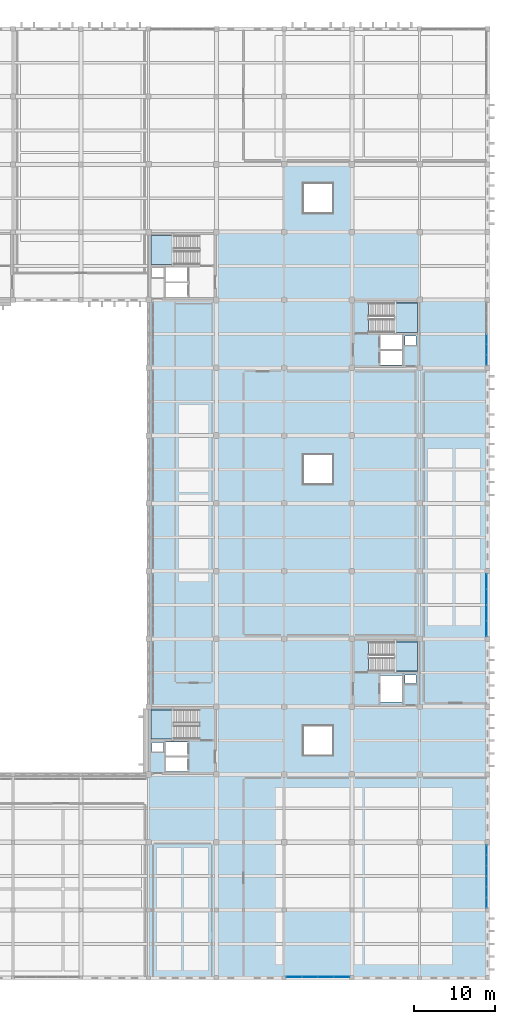
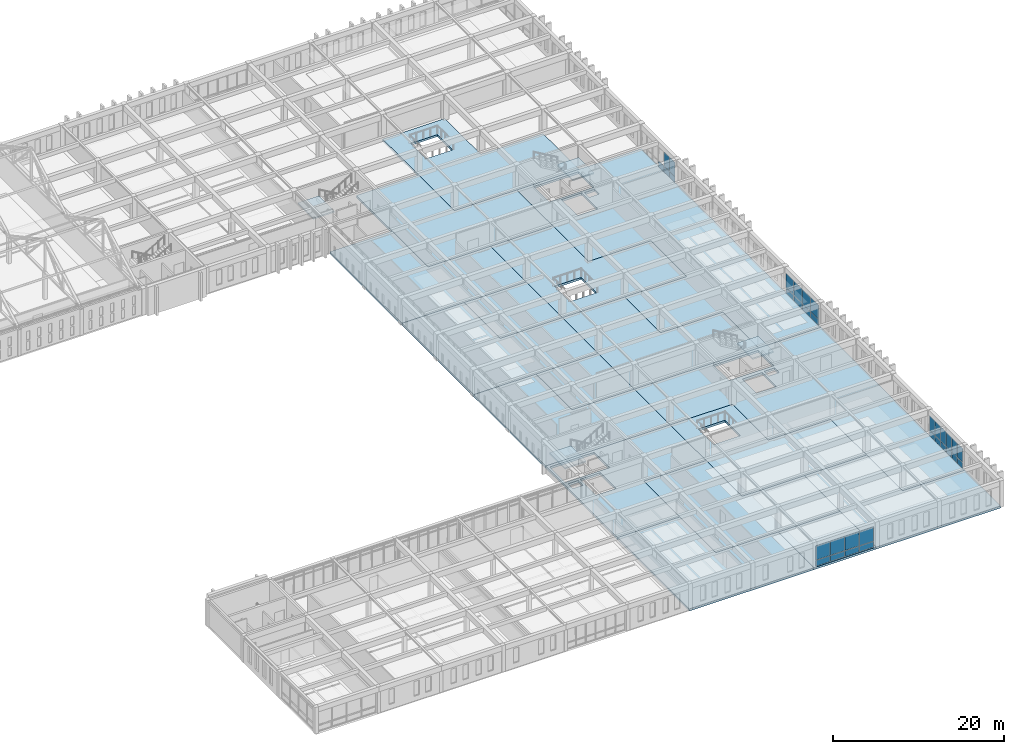
# One storey, part 62 of 110: 33 plates, 21 slabs, 8 elements without a shape of their own.
"""IFC4 building model written with IfcOpenShell, lengths in metres."""

from ifc_helpers import new_model, si_unit, direction, frame, origin, origin_2d, place, context, subcontext, project, spatial, polyline, rectangle, outline, extrude, material, layer, layer_set, type_object, element, aggregate, save


model = new_model("IFC4")

# Units and contexts
model_context = context("Model", 3, precision=1e-05, world=origin(), true_north=direction((0.0, 1.0)))
body_context = subcontext(model_context, "Body", "Model", "MODEL_VIEW")
ifc_project = project(units=[si_unit("LENGTHUNIT", "METRE"), si_unit("AREAUNIT", "SQUARE_METRE"), si_unit("VOLUMEUNIT", "CUBIC_METRE"), si_unit("PLANEANGLEUNIT", "RADIAN"), si_unit("MASSUNIT", "GRAM", prefix="KILO")], contexts=[model_context])

# Site, building, storey
site_placement = place(None, origin())
site = spatial("IfcSite", under=ifc_project, at=site_placement, CompositionType="ELEMENT")
building_placement = place(site_placement, origin())
building = spatial("IfcBuilding", under=site, at=building_placement, Name="Kveldsbrygga Polytechnic", CompositionType="ELEMENT")
storey_placement = place(building_placement, frame((0.0, 0.0, 9.860107421875)))
storey = spatial("IfcBuildingStorey", under=building, at=storey_placement, Name="L02", CompositionType="ELEMENT", Elevation=9.860107421875)

# Curtain wall, plates
ifc_material_1 = material(Name="Anodised aluminium AW-6060", Category="aluminium")
ifc_layer_1 = layer(ifc_material_1, 0.179931640625)
ifc_layer_set_1 = layer_set([ifc_layer_1], Name="Anodised aluminium AW-6060")
curtain_wall_type_1 = type_object("IfcCurtainWallType", Name="CW-CONC-A", PredefinedType="USERDEFINED", material=ifc_layer_set_1)
curtain_wall_1_placement = place(storey_placement, origin())
curtain_wall_1 = element("IfcCurtainWall", 1, at=curtain_wall_1_placement, inside=storey, type_object=curtain_wall_type_1, Name="Curtain Wall CW-L02-Y-20-01", ObjectType="UNITISED CURTAIN WALL", PredefinedType="USERDEFINED")
ifc_material_2 = material(Name="Insulated triple low-E glass", Category="glass")
ifc_layer_2 = layer(ifc_material_2, 0.035888671875)
ifc_layer_set_2 = layer_set([ifc_layer_2], Name="Insulated triple low-E glass")
plate_type_1 = type_object("IfcPlateType", Name="CW-PAN-VIS36", PredefinedType="CURTAIN_PANEL", material=ifc_layer_set_2)
plate_1_placement = place(storey_placement, frame((167.89990234375, 9.313720703125, 0.059814453125), z_axis=(0.0, 0.0, 1.0), x_axis=(0.0, 1.0, 0.0)))
plate_1 = element("IfcPlate", 2, at=plate_1_placement, type_object=plate_type_1, Name="CW-01 panel 1.1", PredefinedType="CURTAIN_PANEL", context=body_context, shape_type="SweptSolid", body=[
    extrude(rectangle(XDim=1.217529296875, YDim=0.035888671875, at=origin_2d()), origin(), (0.0, 0.0, 1.0), 0.81005859375),
])
plate_2_placement = place(storey_placement, frame((167.89990234375, 9.313720703125, 0.9296875), z_axis=(0.0, 0.0, 1.0), x_axis=(0.0, 1.0, 0.0)))
plate_2 = element("IfcPlate", 3, at=plate_2_placement, type_object=plate_type_1, Name="CW-01 panel 1.2", PredefinedType="CURTAIN_PANEL", context=body_context, shape_type="SweptSolid", body=[
    extrude(rectangle(XDim=1.217529296875, YDim=0.035888671875, at=origin_2d()), origin(), (0.0, 0.0, 1.0), 2.010009765625),
])
plate_3_placement = place(storey_placement, frame((167.89990234375, 10.606201171875, 0.059814453125), z_axis=(0.0, 0.0, 1.0), x_axis=(0.0, 1.0, 0.0)))
plate_3 = element("IfcPlate", 4, at=plate_3_placement, type_object=plate_type_1, Name="CW-01 panel 2.1", PredefinedType="CURTAIN_PANEL", context=body_context, shape_type="SweptSolid", body=[
    extrude(rectangle(XDim=1.24755859375, YDim=0.035888671875, at=origin_2d()), origin(), (0.0, 0.0, 1.0), 0.81005859375),
])
plate_4_placement = place(storey_placement, frame((167.89990234375, 10.606201171875, 0.9296875), z_axis=(0.0, 0.0, 1.0), x_axis=(0.0, 1.0, 0.0)))
plate_4 = element("IfcPlate", 5, at=plate_4_placement, type_object=plate_type_1, Name="CW-01 panel 2.2", PredefinedType="CURTAIN_PANEL", context=body_context, shape_type="SweptSolid", body=[
    extrude(rectangle(XDim=1.24755859375, YDim=0.035888671875, at=origin_2d()), origin(), (0.0, 0.0, 1.0), 2.010009765625),
])
plate_5_placement = place(storey_placement, frame((167.89990234375, 11.913818359375, 0.059814453125), z_axis=(0.0, 0.0, 1.0), x_axis=(0.0, 1.0, 0.0)))
plate_5 = element("IfcPlate", 6, at=plate_5_placement, type_object=plate_type_1, Name="CW-01 panel 3.1", PredefinedType="CURTAIN_PANEL", context=body_context, shape_type="SweptSolid", body=[
    extrude(rectangle(XDim=1.24755859375, YDim=0.035888671875, at=origin_2d()), origin(), (0.0, 0.0, 1.0), 0.81005859375),
])
plate_6_placement = place(storey_placement, frame((167.89990234375, 11.913818359375, 0.9296875), z_axis=(0.0, 0.0, 1.0), x_axis=(0.0, 1.0, 0.0)))
plate_6 = element("IfcPlate", 7, at=plate_6_placement, type_object=plate_type_1, Name="CW-01 panel 3.2", PredefinedType="CURTAIN_PANEL", context=body_context, shape_type="SweptSolid", body=[
    extrude(rectangle(XDim=1.24755859375, YDim=0.035888671875, at=origin_2d()), origin(), (0.0, 0.0, 1.0), 2.010009765625),
])
plate_7_placement = place(storey_placement, frame((167.89990234375, 13.22119140625, 0.059814453125), z_axis=(0.0, 0.0, 1.0), x_axis=(0.0, 1.0, 0.0)))
plate_7 = element("IfcPlate", 8, at=plate_7_placement, type_object=plate_type_1, Name="CW-01 panel 4.1", PredefinedType="CURTAIN_PANEL", context=body_context, shape_type="SweptSolid", body=[
    extrude(rectangle(XDim=1.24755859375, YDim=0.035888671875, at=origin_2d()), origin(), (0.0, 0.0, 1.0), 0.81005859375),
])
plate_8_placement = place(storey_placement, frame((167.89990234375, 13.22119140625, 0.9296875), z_axis=(0.0, 0.0, 1.0), x_axis=(0.0, 1.0, 0.0)))
plate_8 = element("IfcPlate", 9, at=plate_8_placement, type_object=plate_type_1, Name="CW-01 panel 4.2", PredefinedType="CURTAIN_PANEL", context=body_context, shape_type="SweptSolid", body=[
    extrude(rectangle(XDim=1.24755859375, YDim=0.035888671875, at=origin_2d()), origin(), (0.0, 0.0, 1.0), 2.010009765625),
])
plate_9_placement = place(storey_placement, frame((167.89990234375, 14.52880859375, 0.059814453125), z_axis=(0.0, 0.0, 1.0), x_axis=(0.0, 1.0, 0.0)))
plate_9 = element("IfcPlate", 10, at=plate_9_placement, type_object=plate_type_1, Name="CW-01 panel 5.1", PredefinedType="CURTAIN_PANEL", context=body_context, shape_type="SweptSolid", body=[
    extrude(rectangle(XDim=1.24755859375, YDim=0.035888671875, at=origin_2d()), origin(), (0.0, 0.0, 1.0), 0.81005859375),
])
plate_10_placement = place(storey_placement, frame((167.89990234375, 14.52880859375, 0.9296875), z_axis=(0.0, 0.0, 1.0), x_axis=(0.0, 1.0, 0.0)))
plate_10 = element("IfcPlate", 11, at=plate_10_placement, type_object=plate_type_1, Name="CW-01 panel 5.2", PredefinedType="CURTAIN_PANEL", context=body_context, shape_type="SweptSolid", body=[
    extrude(rectangle(XDim=1.24755859375, YDim=0.035888671875, at=origin_2d()), origin(), (0.0, 0.0, 1.0), 2.010009765625),
])
plate_11_placement = place(storey_placement, frame((167.89990234375, 15.8212890625, 0.059814453125), z_axis=(0.0, 0.0, 1.0), x_axis=(0.0, 1.0, 0.0)))
plate_11 = element("IfcPlate", 12, at=plate_11_placement, type_object=plate_type_1, Name="CW-01 panel 6.1", PredefinedType="CURTAIN_PANEL", context=body_context, shape_type="SweptSolid", body=[
    extrude(rectangle(XDim=1.217529296875, YDim=0.035888671875, at=origin_2d()), origin(), (0.0, 0.0, 1.0), 0.81005859375),
])
plate_12_placement = place(storey_placement, frame((167.89990234375, 15.8212890625, 0.9296875), z_axis=(0.0, 0.0, 1.0), x_axis=(0.0, 1.0, 0.0)))
plate_12 = element("IfcPlate", 13, at=plate_12_placement, type_object=plate_type_1, Name="CW-01 panel 6.2", PredefinedType="CURTAIN_PANEL", context=body_context, shape_type="SweptSolid", body=[
    extrude(rectangle(XDim=1.217529296875, YDim=0.035888671875, at=origin_2d()), origin(), (0.0, 0.0, 1.0), 2.010009765625),
])
aggregate(curtain_wall_1, [plate_1, plate_2, plate_3, plate_4, plate_5, plate_6, plate_7, plate_8, plate_9, plate_10, plate_11, plate_12])

curtain_wall_2_placement = place(storey_placement, origin())
curtain_wall_2 = element("IfcCurtainWall", 14, at=curtain_wall_2_placement, inside=storey, type_object=curtain_wall_type_1, Name="Curtain Wall CW-L02-Y-20-09", ObjectType="UNITISED CURTAIN WALL", PredefinedType="USERDEFINED")
plate_13_placement = place(storey_placement, frame((167.89990234375, 76.5595703125, 0.059814453125), z_axis=(0.0, 0.0, 1.0), x_axis=(0.0, 1.0, 0.0)))
plate_13 = element("IfcPlate", 15, at=plate_13_placement, type_object=plate_type_1, Name="CW-01 panel 1.1", PredefinedType="CURTAIN_PANEL", context=body_context, shape_type="SweptSolid", body=[
    extrude(rectangle(XDim=1.209228515625, YDim=0.035888671875, at=origin_2d()), origin(), (0.0, 0.0, 1.0), 0.81005859375),
])
plate_14_placement = place(storey_placement, frame((167.89990234375, 76.5595703125, 0.9296875), z_axis=(0.0, 0.0, 1.0), x_axis=(0.0, 1.0, 0.0)))
plate_14 = element("IfcPlate", 16, at=plate_14_placement, type_object=plate_type_1, Name="CW-01 panel 1.2", PredefinedType="CURTAIN_PANEL", context=body_context, shape_type="SweptSolid", body=[
    extrude(rectangle(XDim=1.209228515625, YDim=0.035888671875, at=origin_2d()), origin(), (0.0, 0.0, 1.0), 2.010009765625),
])
plate_15_placement = place(storey_placement, frame((167.89990234375, 77.84375, 0.059814453125), z_axis=(0.0, 0.0, 1.0), x_axis=(0.0, 1.0, 0.0)))
plate_15 = element("IfcPlate", 17, at=plate_15_placement, type_object=plate_type_1, Name="CW-01 panel 2.1", PredefinedType="CURTAIN_PANEL", context=body_context, shape_type="SweptSolid", body=[
    extrude(rectangle(XDim=1.2392578125, YDim=0.035888671875, at=origin_2d()), origin(), (0.0, 0.0, 1.0), 0.81005859375),
])
plate_16_placement = place(storey_placement, frame((167.89990234375, 77.84375, 0.9296875), z_axis=(0.0, 0.0, 1.0), x_axis=(0.0, 1.0, 0.0)))
plate_16 = element("IfcPlate", 18, at=plate_16_placement, type_object=plate_type_1, Name="CW-01 panel 2.2", PredefinedType="CURTAIN_PANEL", context=body_context, shape_type="SweptSolid", body=[
    extrude(rectangle(XDim=1.2392578125, YDim=0.035888671875, at=origin_2d()), origin(), (0.0, 0.0, 1.0), 2.010009765625),
])
plate_17_placement = place(storey_placement, frame((167.89990234375, 79.142822265625, 0.059814453125), z_axis=(0.0, 0.0, 1.0), x_axis=(0.0, 1.0, 0.0)))
plate_17 = element("IfcPlate", 19, at=plate_17_placement, type_object=plate_type_1, Name="CW-01 panel 3.1", PredefinedType="CURTAIN_PANEL", context=body_context, shape_type="SweptSolid", body=[
    extrude(rectangle(XDim=1.2392578125, YDim=0.035888671875, at=origin_2d()), origin(), (0.0, 0.0, 1.0), 0.81005859375),
])
aggregate(curtain_wall_2, [plate_13, plate_14, plate_15, plate_16, plate_17])

ifc_layer_3 = layer(ifc_material_1, 0.199951171875)
ifc_layer_set_3 = layer_set([ifc_layer_3], Name="Anodised aluminium AW-6060")
curtain_wall_type_2 = type_object("IfcCurtainWallType", Name="CW-LANC-E", PredefinedType="USERDEFINED", material=ifc_layer_set_3)
curtain_wall_3_placement = place(storey_placement, origin())
curtain_wall_3 = element("IfcCurtainWall", 20, at=curtain_wall_3_placement, inside=storey, type_object=curtain_wall_type_2, Name="Curtain Wall CW-L02-X-17-00", ObjectType="UNITISED CURTAIN WALL", PredefinedType="USERDEFINED")
ifc_layer_4 = layer(ifc_material_2, 0.0419921875)
ifc_layer_set_4 = layer_set([ifc_layer_4], Name="Insulated triple low-E glass")
plate_type_2 = type_object("IfcPlateType", Name="CW-PAN-VIS42", PredefinedType="CURTAIN_PANEL", material=ifc_layer_set_4)
plate_18_placement = place(storey_placement, frame((144.0380859375, 0.10009765625, 0.059814453125), z_axis=(0.0, 0.0, 1.0), x_axis=(1.0, 0.0, 0.0)))
plate_18 = element("IfcPlate", 21, at=plate_18_placement, type_object=plate_type_2, Name="CW-05 panel 1.1", PredefinedType="CURTAIN_PANEL", context=body_context, shape_type="SweptSolid", body=[
    extrude(rectangle(XDim=1.88623046875, YDim=0.0419921875, at=origin_2d()), origin(), (0.0, 0.0, 1.0), 0.81005859375),
])
plate_19_placement = place(storey_placement, frame((144.0380859375, 0.10009765625, 0.929931640625), z_axis=(0.0, 0.0, 1.0), x_axis=(1.0, 0.0, 0.0)))
plate_19 = element("IfcPlate", 22, at=plate_19_placement, type_object=plate_type_2, Name="CW-05 panel 1.2", PredefinedType="CURTAIN_PANEL", context=body_context, shape_type="SweptSolid", body=[
    extrude(rectangle(XDim=1.88623046875, YDim=0.0419921875, at=origin_2d()), origin(), (0.0, 0.0, 1.0), 2.02001953125),
])
plate_20_placement = place(storey_placement, frame((145.999267578125, 0.10009765625, 0.059814453125), z_axis=(0.0, 0.0, 1.0), x_axis=(1.0, 0.0, 0.0)))
plate_20 = element("IfcPlate", 23, at=plate_20_placement, type_object=plate_type_2, Name="CW-05 panel 2.1", PredefinedType="CURTAIN_PANEL", context=body_context, shape_type="SweptSolid", body=[
    extrude(rectangle(XDim=1.916259765625, YDim=0.0419921875, at=origin_2d()), origin(), (0.0, 0.0, 1.0), 0.81005859375),
])
plate_21_placement = place(storey_placement, frame((145.999267578125, 0.10009765625, 0.929931640625), z_axis=(0.0, 0.0, 1.0), x_axis=(1.0, 0.0, 0.0)))
plate_21 = element("IfcPlate", 24, at=plate_21_placement, type_object=plate_type_2, Name="CW-05 panel 2.2", PredefinedType="CURTAIN_PANEL", context=body_context, shape_type="SweptSolid", body=[
    extrude(rectangle(XDim=1.916259765625, YDim=0.0419921875, at=origin_2d()), origin(), (0.0, 0.0, 1.0), 2.02001953125),
])
plate_22_placement = place(storey_placement, frame((147.9755859375, 0.10009765625, 0.059814453125), z_axis=(0.0, 0.0, 1.0), x_axis=(1.0, 0.0, 0.0)))
plate_22 = element("IfcPlate", 25, at=plate_22_placement, type_object=plate_type_2, Name="CW-05 panel 3.1", PredefinedType="CURTAIN_PANEL", context=body_context, shape_type="SweptSolid", body=[
    extrude(rectangle(XDim=1.916259765625, YDim=0.0419921875, at=origin_2d()), origin(), (0.0, 0.0, 1.0), 0.81005859375),
])
plate_23_placement = place(storey_placement, frame((147.9755859375, 0.10009765625, 0.929931640625), z_axis=(0.0, 0.0, 1.0), x_axis=(1.0, 0.0, 0.0)))
plate_23 = element("IfcPlate", 26, at=plate_23_placement, type_object=plate_type_2, Name="CW-05 panel 3.2", PredefinedType="CURTAIN_PANEL", context=body_context, shape_type="SweptSolid", body=[
    extrude(rectangle(XDim=1.916259765625, YDim=0.0419921875, at=origin_2d()), origin(), (0.0, 0.0, 1.0), 2.02001953125),
])
plate_24_placement = place(storey_placement, frame((149.936767578125, 0.10009765625, 0.059814453125), z_axis=(0.0, 0.0, 1.0), x_axis=(1.0, 0.0, 0.0)))
plate_24 = element("IfcPlate", 27, at=plate_24_placement, type_object=plate_type_2, Name="CW-05 panel 4.1", PredefinedType="CURTAIN_PANEL", context=body_context, shape_type="SweptSolid", body=[
    extrude(rectangle(XDim=1.88623046875, YDim=0.0419921875, at=origin_2d()), origin(), (0.0, 0.0, 1.0), 0.81005859375),
])
plate_25_placement = place(storey_placement, frame((149.936767578125, 0.10009765625, 0.929931640625), z_axis=(0.0, 0.0, 1.0), x_axis=(1.0, 0.0, 0.0)))
plate_25 = element("IfcPlate", 28, at=plate_25_placement, type_object=plate_type_2, Name="CW-05 panel 4.2", PredefinedType="CURTAIN_PANEL", context=body_context, shape_type="SweptSolid", body=[
    extrude(rectangle(XDim=1.88623046875, YDim=0.0419921875, at=origin_2d()), origin(), (0.0, 0.0, 1.0), 2.02001953125),
])
aggregate(curtain_wall_3, [plate_18, plate_19, plate_20, plate_21, plate_22, plate_23, plate_24, plate_25])

curtain_wall_4_placement = place(storey_placement, origin())
curtain_wall_4 = element("IfcCurtainWall", 29, at=curtain_wall_4_placement, inside=storey, type_object=curtain_wall_type_2, Name="Curtain Wall CW-L02-Y-20-05", ObjectType="UNITISED CURTAIN WALL", PredefinedType="USERDEFINED")
plate_26_placement = place(storey_placement, frame((167.89990234375, 43.284423828125, 0.059814453125), z_axis=(0.0, 0.0, 1.0), x_axis=(0.0, 1.0, 0.0)))
plate_26 = element("IfcPlate", 30, at=plate_26_placement, type_object=plate_type_2, Name="CW-05 panel 1.1", PredefinedType="CURTAIN_PANEL", context=body_context, shape_type="SweptSolid", body=[
    extrude(rectangle(XDim=1.858642578125, YDim=0.0419921875, at=origin_2d()), origin(), (0.0, 0.0, 1.0), 0.81005859375),
])
plate_27_placement = place(storey_placement, frame((167.89990234375, 43.284423828125, 0.9296875), z_axis=(0.0, 0.0, 1.0), x_axis=(0.0, 1.0, 0.0)))
plate_27 = element("IfcPlate", 31, at=plate_27_placement, type_object=plate_type_2, Name="CW-05 panel 1.2", PredefinedType="CURTAIN_PANEL", context=body_context, shape_type="SweptSolid", body=[
    extrude(rectangle(XDim=1.858642578125, YDim=0.0419921875, at=origin_2d()), origin(), (0.0, 0.0, 1.0), 2.010009765625),
])
plate_28_placement = place(storey_placement, frame((167.89990234375, 45.218017578125, 0.059814453125), z_axis=(0.0, 0.0, 1.0), x_axis=(0.0, 1.0, 0.0)))
plate_28 = element("IfcPlate", 32, at=plate_28_placement, type_object=plate_type_2, Name="CW-05 panel 2.1", PredefinedType="CURTAIN_PANEL", context=body_context, shape_type="SweptSolid", body=[
    extrude(rectangle(XDim=1.888671875, YDim=0.0419921875, at=origin_2d()), origin(), (0.0, 0.0, 1.0), 0.81005859375),
])
plate_29_placement = place(storey_placement, frame((167.89990234375, 45.218017578125, 0.9296875), z_axis=(0.0, 0.0, 1.0), x_axis=(0.0, 1.0, 0.0)))
plate_29 = element("IfcPlate", 33, at=plate_29_placement, type_object=plate_type_2, Name="CW-05 panel 2.2", PredefinedType="CURTAIN_PANEL", context=body_context, shape_type="SweptSolid", body=[
    extrude(rectangle(XDim=1.888671875, YDim=0.0419921875, at=origin_2d()), origin(), (0.0, 0.0, 1.0), 2.010009765625),
])
plate_30_placement = place(storey_placement, frame((167.89990234375, 47.1669921875, 0.059814453125), z_axis=(0.0, 0.0, 1.0), x_axis=(0.0, 1.0, 0.0)))
plate_30 = element("IfcPlate", 34, at=plate_30_placement, type_object=plate_type_2, Name="CW-05 panel 3.1", PredefinedType="CURTAIN_PANEL", context=body_context, shape_type="SweptSolid", body=[
    extrude(rectangle(XDim=1.888671875, YDim=0.0419921875, at=origin_2d()), origin(), (0.0, 0.0, 1.0), 0.81005859375),
])
plate_31_placement = place(storey_placement, frame((167.89990234375, 47.1669921875, 0.9296875), z_axis=(0.0, 0.0, 1.0), x_axis=(0.0, 1.0, 0.0)))
plate_31 = element("IfcPlate", 35, at=plate_31_placement, type_object=plate_type_2, Name="CW-05 panel 3.2", PredefinedType="CURTAIN_PANEL", context=body_context, shape_type="SweptSolid", body=[
    extrude(rectangle(XDim=1.888671875, YDim=0.0419921875, at=origin_2d()), origin(), (0.0, 0.0, 1.0), 2.010009765625),
])
plate_32_placement = place(storey_placement, frame((167.89990234375, 49.1005859375, 0.059814453125), z_axis=(0.0, 0.0, 1.0), x_axis=(0.0, 1.0, 0.0)))
plate_32 = element("IfcPlate", 36, at=plate_32_placement, type_object=plate_type_2, Name="CW-05 panel 4.1", PredefinedType="CURTAIN_PANEL", context=body_context, shape_type="SweptSolid", body=[
    extrude(rectangle(XDim=1.858642578125, YDim=0.0419921875, at=origin_2d()), origin(), (0.0, 0.0, 1.0), 0.81005859375),
])
plate_33_placement = place(storey_placement, frame((167.89990234375, 49.1005859375, 0.9296875), z_axis=(0.0, 0.0, 1.0), x_axis=(0.0, 1.0, 0.0)))
plate_33 = element("IfcPlate", 37, at=plate_33_placement, type_object=plate_type_2, Name="CW-05 panel 4.2", PredefinedType="CURTAIN_PANEL", context=body_context, shape_type="SweptSolid", body=[
    extrude(rectangle(XDim=1.858642578125, YDim=0.0419921875, at=origin_2d()), origin(), (0.0, 0.0, 1.0), 2.010009765625),
])
aggregate(curtain_wall_4, [plate_26, plate_27, plate_28, plate_29, plate_30, plate_31, plate_32, plate_33])

# Slabs
ifc_material_3 = material(Name="Concrete C35/45", Category="concrete")
ifc_layer_5 = layer(ifc_material_3, 0.300048828125)
ifc_layer_set_5 = layer_set([ifc_layer_5], Name="Concrete C35/45")
slab_type_1 = type_object("IfcSlabType", Name="SLB-LAB-300", PredefinedType="FLOOR", material=ifc_layer_set_5)
slab_1_placement = place(storey_placement, frame((0.0, 0.0, -0.300048828125)))
element("IfcSlab", 38, at=slab_1_placement, inside=storey, type_object=slab_type_1, Name="Slab SLB-L02-V4-L03-1", PredefinedType="FLOOR", context=body_context, shape_type="SweptSolid", body=[
    extrude(outline(polyline([(126.0, 0.0), (126.0, 8.39990234375), (126.0, 16.800048828125), (134.39990234375, 16.800048828125), (134.39990234375, 8.39990234375), (142.800048828125, 8.39990234375), (142.800048828125, 0.0), (134.39990234375, 0.0), (126.0, 0.0)])), origin(), (0.0, 0.0, 1.0), 0.300048828125),
])
slab_2_placement = place(storey_placement, frame((0.0, 0.0, -0.300048828125)))
element("IfcSlab", 39, at=slab_2_placement, inside=storey, type_object=slab_type_1, Name="Slab SLB-L02-V4-L04-1", PredefinedType="FLOOR", context=body_context, shape_type="SweptSolid", body=[
    extrude(outline(polyline([(126.0, 33.60009765625), (126.0, 42.0), (126.0, 50.39990234375), (134.39990234375, 50.39990234375), (134.39990234375, 42.0), (142.800048828125, 42.0), (142.800048828125, 33.60009765625), (134.39990234375, 33.60009765625), (126.0, 33.60009765625)])), origin(), (0.0, 0.0, 1.0), 0.300048828125),
])
slab_3_placement = place(storey_placement, frame((0.0, 0.0, -0.300048828125)))
element("IfcSlab", 40, at=slab_3_placement, inside=storey, type_object=slab_type_1, Name="Slab SLB-L02-V4-L05-1", PredefinedType="FLOOR", context=body_context, shape_type="SweptSolid", body=[
    extrude(outline(polyline([(126.0, 50.39990234375), (126.0, 58.800048828125), (126.0, 67.199951171875), (134.39990234375, 67.199951171875), (134.39990234375, 58.800048828125), (142.800048828125, 58.800048828125), (142.800048828125, 50.39990234375), (134.39990234375, 50.39990234375), (126.0, 50.39990234375)])), origin(), (0.0, 0.0, 1.0), 0.300048828125),
])
slab_4_placement = place(storey_placement, frame((0.0, 0.0, -0.300048828125)))
element("IfcSlab", 41, at=slab_4_placement, inside=storey, type_object=slab_type_1, Name="Slab SLB-L02-V4-L06-1", PredefinedType="FLOOR", context=body_context, shape_type="SweptSolid", body=[
    extrude(outline(polyline([(126.0, 67.199951171875), (126.0, 75.60009765625), (126.0, 84.0), (134.39990234375, 84.0), (134.39990234375, 75.60009765625), (142.800048828125, 75.60009765625), (142.800048828125, 67.199951171875), (134.39990234375, 67.199951171875), (126.0, 67.199951171875)])), origin(), (0.0, 0.0, 1.0), 0.300048828125),
])
slab_5_placement = place(storey_placement, frame((0.0, 0.0, -0.300048828125)))
element("IfcSlab", 42, at=slab_5_placement, inside=storey, type_object=slab_type_1, Name="Slab SLB-L02-V4-L08-1", PredefinedType="FLOOR", context=body_context, shape_type="SweptSolid", body=[
    extrude(outline(polyline([(134.39990234375, 8.39990234375), (134.39990234375, 16.800048828125), (134.39990234375, 25.199951171875), (142.800048828125, 25.199951171875), (142.800048828125, 16.800048828125), (151.199951171875, 16.800048828125), (151.199951171875, 8.39990234375), (142.800048828125, 8.39990234375), (134.39990234375, 8.39990234375)])), origin(), (0.0, 0.0, 1.0), 0.300048828125),
])
slab_6_placement = place(storey_placement, frame((0.0, 0.0, -0.300048828125)))
element("IfcSlab", 43, at=slab_6_placement, inside=storey, type_object=slab_type_1, Name="Slab SLB-L02-V4-L09-1", PredefinedType="FLOOR", context=body_context, shape_type="SweptSolid", body=[
    extrude(outline(polyline([(134.39990234375, 75.60009765625), (134.39990234375, 84.0), (134.39990234375, 92.39990234375), (142.800048828125, 92.39990234375), (142.800048828125, 84.0), (151.199951171875, 84.0), (151.199951171875, 75.60009765625), (142.800048828125, 75.60009765625), (134.39990234375, 75.60009765625)])), origin(), (0.0, 0.0, 1.0), 0.300048828125),
])
slab_7_placement = place(storey_placement, frame((0.0, 0.0, -0.300048828125)))
element("IfcSlab", 44, at=slab_7_placement, inside=storey, type_object=slab_type_1, Name="Slab SLB-L02-V4-L11-1", PredefinedType="FLOOR", context=body_context, shape_type="SweptSolid", body=[
    extrude(outline(polyline([(142.800048828125, 16.800048828125), (142.800048828125, 25.199951171875), (142.800048828125, 33.60009765625), (151.199951171875, 33.60009765625), (151.199951171875, 25.199951171875), (159.60009765625, 25.199951171875), (159.60009765625, 16.800048828125), (151.199951171875, 16.800048828125), (142.800048828125, 16.800048828125)]), holes=[polyline([(145.199951171875, 27.60009765625), (148.800048828125, 27.60009765625), (148.800048828125, 31.199951171875), (145.199951171875, 31.199951171875), (145.199951171875, 27.60009765625)])]), origin(), (0.0, 0.0, 1.0), 0.300048828125),
])
slab_8_placement = place(storey_placement, frame((0.0, 0.0, -0.300048828125)))
element("IfcSlab", 45, at=slab_8_placement, inside=storey, type_object=slab_type_1, Name="Slab SLB-L02-V4-L12-1", PredefinedType="FLOOR", context=body_context, shape_type="SweptSolid", body=[
    extrude(outline(polyline([(142.800048828125, 42.0), (142.800048828125, 50.39990234375), (142.800048828125, 58.800048828125), (151.199951171875, 58.800048828125), (151.199951171875, 50.39990234375), (159.60009765625, 50.39990234375), (159.60009765625, 42.0), (151.199951171875, 42.0), (142.800048828125, 42.0)])), origin(), (0.0, 0.0, 1.0), 0.300048828125),
])
slab_9_placement = place(storey_placement, frame((0.0, 0.0, -0.300048828125)))
element("IfcSlab", 46, at=slab_9_placement, inside=storey, type_object=slab_type_1, Name="Slab SLB-L02-V4-L13-1", PredefinedType="FLOOR", context=body_context, shape_type="SweptSolid", body=[
    extrude(outline(polyline([(142.800048828125, 58.800048828125), (142.800048828125, 67.199951171875), (142.800048828125, 75.60009765625), (151.199951171875, 75.60009765625), (151.199951171875, 67.199951171875), (159.60009765625, 67.199951171875), (159.60009765625, 58.800048828125), (151.199951171875, 58.800048828125), (142.800048828125, 58.800048828125)]), holes=[polyline([(145.199951171875, 61.199951171875), (148.800048828125, 61.199951171875), (148.800048828125, 64.800048828125), (145.199951171875, 64.800048828125), (145.199951171875, 61.199951171875)])]), origin(), (0.0, 0.0, 1.0), 0.300048828125),
])
slab_10_placement = place(storey_placement, frame((0.0, 0.0, -0.300048828125)))
element("IfcSlab", 47, at=slab_10_placement, inside=storey, type_object=slab_type_1, Name="Slab SLB-L02-V4-L14-1", PredefinedType="FLOOR", context=body_context, shape_type="SweptSolid", body=[
    extrude(outline(polyline([(142.800048828125, 84.0), (142.800048828125, 92.39990234375), (142.800048828125, 100.800048828125), (151.199951171875, 100.800048828125), (151.199951171875, 92.39990234375), (159.60009765625, 92.39990234375), (159.60009765625, 84.0), (151.199951171875, 84.0), (142.800048828125, 84.0)]), holes=[polyline([(145.199951171875, 94.800048828125), (148.800048828125, 94.800048828125), (148.800048828125, 98.39990234375), (145.199951171875, 98.39990234375), (145.199951171875, 94.800048828125)])]), origin(), (0.0, 0.0, 1.0), 0.300048828125),
])
slab_11_placement = place(storey_placement, frame((0.0, 0.0, -0.300048828125)))
element("IfcSlab", 48, at=slab_11_placement, inside=storey, type_object=slab_type_1, Name="Slab SLB-L02-V4-L15-1", PredefinedType="FLOOR", context=body_context, shape_type="SweptSolid", body=[
    extrude(outline(polyline([(151.199951171875, 0.0), (151.199951171875, 8.39990234375), (151.199951171875, 16.800048828125), (159.60009765625, 16.800048828125), (159.60009765625, 8.39990234375), (168.0, 8.39990234375), (168.0, 0.0), (159.60009765625, 0.0), (151.199951171875, 0.0)])), origin(), (0.0, 0.0, 1.0), 0.300048828125),
])
slab_12_placement = place(storey_placement, frame((0.0, 0.0, -0.300048828125)))
element("IfcSlab", 49, at=slab_12_placement, inside=storey, type_object=slab_type_1, Name="Slab SLB-L02-V4-Z3-1", PredefinedType="FLOOR", context=body_context, shape_type="SweptSolid", body=[
    extrude(outline(polyline([(151.199951171875, 8.39990234375), (151.199951171875, 0.0), (142.800048828125, 0.0), (142.800048828125, 8.39990234375), (151.199951171875, 8.39990234375)])), origin(), (0.0, 0.0, 1.0), 0.300048828125),
])
slab_13_placement = place(storey_placement, frame((0.0, 0.0, -0.300048828125)))
element("IfcSlab", 50, at=slab_13_placement, inside=storey, type_object=slab_type_1, Name="Slab SLB-L02-V4-Z3-2", PredefinedType="FLOOR", context=body_context, shape_type="SweptSolid", body=[
    extrude(outline(polyline([(126.0, 33.60009765625), (134.39990234375, 33.60009765625), (142.800048828125, 33.60009765625), (142.800048828125, 25.199951171875), (134.39990234375, 25.199951171875), (134.39990234375, 16.800048828125), (126.0, 16.800048828125), (126.0, 25.199951171875), (126.0, 33.60009765625)]), holes=[polyline([(132.324951171875, 33.199951171875), (126.300048828125, 33.199951171875), (126.300048828125, 29.60009765625), (132.324951171875, 29.60009765625), (132.324951171875, 33.199951171875)]), polyline([(128.14990234375, 25.550048828125), (130.85009765625, 25.550048828125), (130.85009765625, 29.25), (128.14990234375, 29.25), (128.14990234375, 25.550048828125)]), polyline([(126.449951171875, 28.050048828125), (127.85009765625, 28.050048828125), (127.85009765625, 29.14990234375), (126.449951171875, 29.14990234375), (126.449951171875, 28.050048828125)])]), origin(), (0.0, 0.0, 1.0), 0.300048828125),
])
slab_14_placement = place(storey_placement, frame((0.0, 0.0, -0.300048828125)))
element("IfcSlab", 51, at=slab_14_placement, inside=storey, type_object=slab_type_1, Name="Slab SLB-L02-V4-Z3-3", PredefinedType="FLOOR", context=body_context, shape_type="SweptSolid", body=[
    extrude(outline(polyline([(151.199951171875, 25.199951171875), (151.199951171875, 33.60009765625), (142.800048828125, 33.60009765625), (142.800048828125, 42.0), (151.199951171875, 42.0), (159.60009765625, 42.0), (168.0, 42.0), (168.0, 33.60009765625), (168.0, 25.199951171875), (168.0, 16.800048828125), (168.0, 8.39990234375), (159.60009765625, 8.39990234375), (159.60009765625, 16.800048828125), (159.60009765625, 25.199951171875), (151.199951171875, 25.199951171875)]), holes=[polyline([(153.27490234375, 38.0), (159.300048828125, 38.0), (159.300048828125, 41.60009765625), (153.27490234375, 41.60009765625), (153.27490234375, 38.0)]), polyline([(154.75, 34.14990234375), (157.449951171875, 34.14990234375), (157.449951171875, 37.449951171875), (154.75, 37.449951171875), (154.75, 34.14990234375)]), polyline([(157.75, 36.449951171875), (159.14990234375, 36.449951171875), (159.14990234375, 37.550048828125), (157.75, 37.550048828125), (157.75, 36.449951171875)])]), origin(), (0.0, 0.0, 1.0), 0.300048828125),
])
slab_15_placement = place(storey_placement, frame((0.0, 0.0, -0.300048828125)))
element("IfcSlab", 52, at=slab_15_placement, inside=storey, type_object=slab_type_1, Name="Slab SLB-L02-V4-Z6-1", PredefinedType="FLOOR", context=body_context, shape_type="SweptSolid", body=[
    extrude(outline(polyline([(142.800048828125, 50.39990234375), (142.800048828125, 42.0), (134.39990234375, 42.0), (134.39990234375, 50.39990234375), (142.800048828125, 50.39990234375)])), origin(), (0.0, 0.0, 1.0), 0.300048828125),
])
slab_16_placement = place(storey_placement, frame((0.0, 0.0, -0.300048828125)))
element("IfcSlab", 53, at=slab_16_placement, inside=storey, type_object=slab_type_1, Name="Slab SLB-L02-V4-Z6-2", PredefinedType="FLOOR", context=body_context, shape_type="SweptSolid", body=[
    extrude(outline(polyline([(151.199951171875, 50.39990234375), (151.199951171875, 58.800048828125), (159.60009765625, 58.800048828125), (159.60009765625, 67.199951171875), (151.199951171875, 67.199951171875), (151.199951171875, 75.60009765625), (151.199951171875, 84.0), (159.60009765625, 84.0), (168.0, 84.0), (168.0, 75.60009765625), (168.0, 67.199951171875), (168.0, 58.800048828125), (168.0, 50.39990234375), (168.0, 42.0), (159.60009765625, 42.0), (159.60009765625, 50.39990234375), (151.199951171875, 50.39990234375)]), holes=[polyline([(153.27490234375, 80.0), (159.300048828125, 80.0), (159.300048828125, 83.60009765625), (153.27490234375, 83.60009765625), (153.27490234375, 80.0)]), polyline([(154.75, 75.949951171875), (157.449951171875, 75.949951171875), (157.449951171875, 79.64990234375), (154.75, 79.64990234375), (154.75, 75.949951171875)]), polyline([(157.75, 78.449951171875), (159.14990234375, 78.449951171875), (159.14990234375, 79.550048828125), (157.75, 79.550048828125), (157.75, 78.449951171875)])]), origin(), (0.0, 0.0, 1.0), 0.300048828125),
])
slab_17_placement = place(storey_placement, frame((0.0, 0.0, -0.300048828125)))
element("IfcSlab", 54, at=slab_17_placement, inside=storey, type_object=slab_type_1, Name="Slab SLB-L02-V4-Z6-3", PredefinedType="FLOOR", context=body_context, shape_type="SweptSolid", body=[
    extrude(outline(polyline([(142.800048828125, 58.800048828125), (134.39990234375, 58.800048828125), (134.39990234375, 67.199951171875), (142.800048828125, 67.199951171875), (142.800048828125, 58.800048828125)])), origin(), (0.0, 0.0, 1.0), 0.300048828125),
])

# Stair, slab
stair_type = type_object("IfcStairType", Name="STR-CORE-408", PredefinedType="HALF_TURN_STAIR", material=ifc_material_3)
stair_1_placement = place(storey_placement, origin())
stair_1 = element("IfcStair", 55, at=stair_1_placement, inside=storey, type_object=stair_type, Name="L02 Core C1 Escape Stair ST-1", PredefinedType="HALF_TURN_STAIR")
ifc_layer_6 = layer(ifc_material_3, 0.199951171875)
ifc_layer_set_6 = layer_set([ifc_layer_6], Name="Concrete C35/45")
slab_type_2 = type_object("IfcSlabType", Name="SLB-LANDING-200", PredefinedType="LANDING", material=ifc_layer_set_6)
slab_18_placement = place(storey_placement, frame((0.0, 0.0, 1.83984375)))
slab_18 = element("IfcSlab", 56, at=slab_18_placement, type_object=slab_type_2, Name="ST-1 landing 1", PredefinedType="LANDING", context=body_context, shape_type="SweptSolid", body=[
    extrude(outline(polyline([(129.159912109375, 33.199951171875), (126.300048828125, 33.199951171875), (126.300048828125, 29.60009765625), (129.159912109375, 29.60009765625), (129.159912109375, 33.199951171875)])), origin(), (0.0, 0.0, 1.0), 0.199951171875),
])
aggregate(stair_1, [slab_18])

stair_2_placement = place(storey_placement, origin())
stair_2 = element("IfcStair", 57, at=stair_2_placement, inside=storey, type_object=stair_type, Name="L02 Core C2 Escape Stair ST-2", PredefinedType="HALF_TURN_STAIR")
slab_19_placement = place(storey_placement, frame((0.0, 0.0, 1.83984375)))
slab_19 = element("IfcSlab", 58, at=slab_19_placement, type_object=slab_type_2, Name="ST-2 landing 1", PredefinedType="LANDING", context=body_context, shape_type="SweptSolid", body=[
    extrude(outline(polyline([(129.159912109375, 92.0), (126.300048828125, 92.0), (126.300048828125, 88.39990234375), (129.159912109375, 88.39990234375), (129.159912109375, 92.0)])), origin(), (0.0, 0.0, 1.0), 0.199951171875),
])
aggregate(stair_2, [slab_19])

stair_3_placement = place(storey_placement, origin())
stair_3 = element("IfcStair", 59, at=stair_3_placement, inside=storey, type_object=stair_type, Name="L02 Core C3 Escape Stair ST-3", PredefinedType="HALF_TURN_STAIR")
slab_20_placement = place(storey_placement, frame((0.0, 0.0, 1.83984375)))
slab_20 = element("IfcSlab", 60, at=slab_20_placement, type_object=slab_type_2, Name="ST-3 landing 1", PredefinedType="LANDING", context=body_context, shape_type="SweptSolid", body=[
    extrude(outline(polyline([(156.43994140625, 38.0), (159.300048828125, 38.0), (159.300048828125, 41.60009765625), (156.43994140625, 41.60009765625), (156.43994140625, 38.0)])), origin(), (0.0, 0.0, 1.0), 0.199951171875),
])
aggregate(stair_3, [slab_20])

stair_4_placement = place(storey_placement, origin())
stair_4 = element("IfcStair", 61, at=stair_4_placement, inside=storey, type_object=stair_type, Name="L02 Core C4 Escape Stair ST-4", PredefinedType="HALF_TURN_STAIR")
slab_21_placement = place(storey_placement, frame((0.0, 0.0, 1.83984375)))
slab_21 = element("IfcSlab", 62, at=slab_21_placement, type_object=slab_type_2, Name="ST-4 landing 1", PredefinedType="LANDING", context=body_context, shape_type="SweptSolid", body=[
    extrude(outline(polyline([(156.43994140625, 80.0), (159.300048828125, 80.0), (159.300048828125, 83.60009765625), (156.43994140625, 83.60009765625), (156.43994140625, 80.0)])), origin(), (0.0, 0.0, 1.0), 0.199951171875),
])
aggregate(stair_4, [slab_21])

save(model, "model.ifc")
